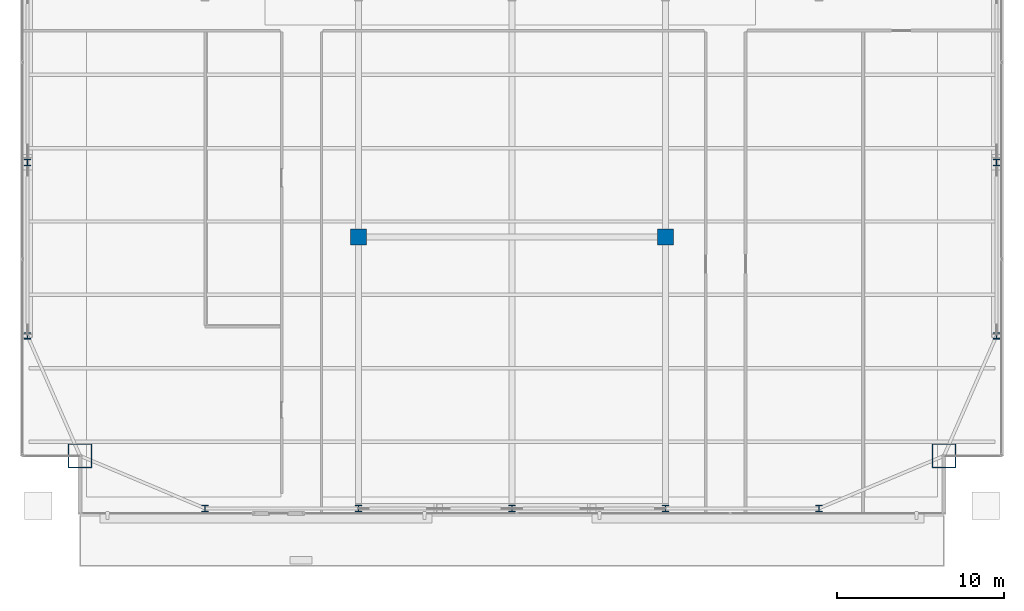
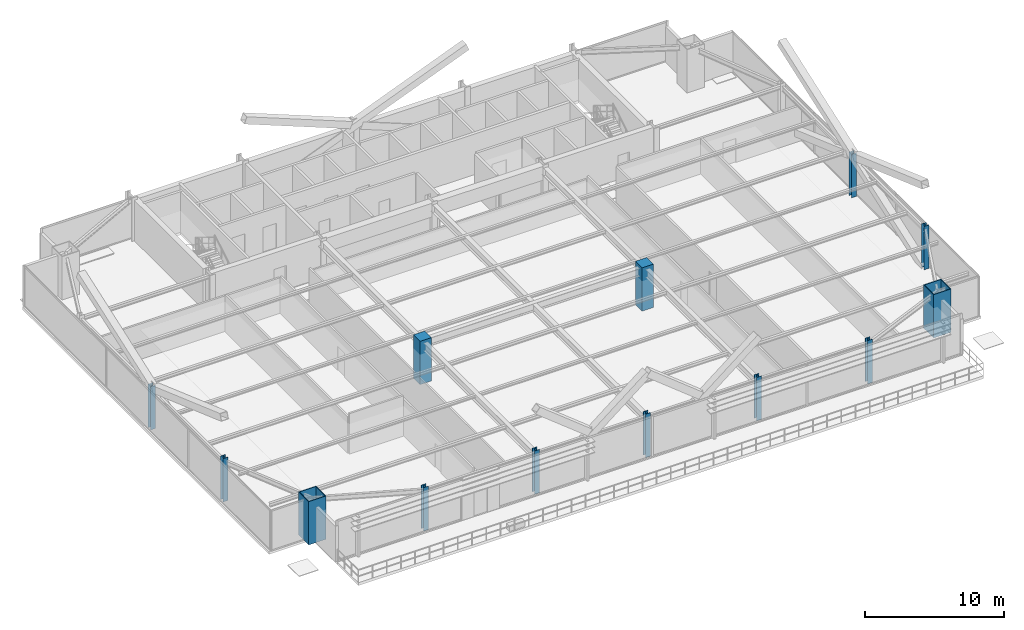
# One storey, part 1 of 35: 13 columns.
"""IFC4 building model written with IfcOpenShell, lengths in metres."""

from ifc_helpers import new_model, si_unit, direction, frame, origin, origin_2d, place, context, subcontext, project, spatial, rectangle, hollow_rectangle, i_section, extrude, source, transform, mapped, material, material_profile, profile_set, type_object, type_shapes, element, save


model = new_model("IFC4")

# Units and contexts
model_context = context("Model", 3, precision=1e-05, world=origin(), true_north=direction((0.0, 1.0)))
body_context = subcontext(model_context, "Body", "Model", "MODEL_VIEW")
ifc_project = project(units=[si_unit("LENGTHUNIT", "METRE"), si_unit("AREAUNIT", "SQUARE_METRE"), si_unit("VOLUMEUNIT", "CUBIC_METRE"), si_unit("PLANEANGLEUNIT", "RADIAN"), si_unit("MASSUNIT", "GRAM", prefix="KILO")], contexts=[model_context])

# Site, building, storey
site_placement = place(None, origin())
site = spatial("IfcSite", under=ifc_project, at=site_placement, CompositionType="ELEMENT")
building_placement = place(site_placement, origin())
building = spatial("IfcBuilding", under=site, at=building_placement, Name="Varnel Quay Broadcast Tower", CompositionType="ELEMENT")
storey_placement = place(building_placement, frame((0.0, 0.0, 87.0)))
storey = spatial("IfcBuildingStorey", under=building, at=storey_placement, Name="L20", CompositionType="ELEMENT", Elevation=87.0)

# Columns
ifc_material_1 = material(Name="Structural Steel CSA G40.21 350WT", Category="steel")
ifc_material_profile_1 = material_profile(ifc_material_1, hollow_rectangle(XDim=1.449951171875, YDim=1.449951171875, WallThickness=0.054931640625, at=origin_2d()), Name="BOX1450X1450X55")
ifc_profile_set_1 = profile_set([ifc_material_profile_1], Name="Structural Steel CSA G40.21 350WT")
column_type_1 = type_object("IfcColumnType", Name="Col_BOX1450X1450X55", PredefinedType="COLUMN", material=ifc_profile_set_1)
shared_shape_1 = source(origin(), body_context, "Body", "SweptSolid", [
    extrude(hollow_rectangle(XDim=1.449951171875, YDim=1.449951171875, WallThickness=0.054931640625, at=origin_2d()), origin(), (0.0, 0.0, 1.0), 3.800048828125),
])
type_shapes(column_type_1, [shared_shape_1])
for number, where, z_axis, x_axis, name in (
    (1, (8.10009765625, 7.800048828125, 0.0), (0.0, 0.0, 1.0), (1.0, 0.0, 0.0), "L20 Column MC-SW"),
    (2, (59.89990234375, 7.800048828125, 0.0), (0.0, 0.0, 1.0), (1.0, 0.0, 0.0), "L20 Column MC-SE"),
):
    element("IfcColumn", number, at=place(storey_placement, frame(where, z_axis=z_axis, x_axis=x_axis)), inside=storey, type_object=column_type_1, Name=name, PredefinedType="COLUMN", context=body_context, shape_type="MappedRepresentation", body=[
        mapped(shared_shape_1, transform((0.0, 0.0, 0.0), x_axis=(1.0, 0.0, 0.0), y_axis=(0.0, 1.0, 0.0), z_axis=(0.0, 0.0, 1.0), scale=1.0)),
    ])
ifc_material_2 = material(Name="Structural Steel CSA G40.21 350W", Category="steel")
ifc_material_profile_2 = material_profile(ifc_material_2, i_section(OverallWidth=0.39794921875, OverallDepth=0.386962890625, WebThickness=0.02099609375, FlangeThickness=0.033203125, FilletRadius=0.01806640625, at=origin_2d()), Name="W360X262")
ifc_profile_set_2 = profile_set([ifc_material_profile_2], Name="Structural Steel CSA G40.21 350W")
column_type_2 = type_object("IfcColumnType", Name="Col_W360X262", PredefinedType="COLUMN", material=ifc_profile_set_2)
shared_shape_2 = source(origin(), body_context, "Body", "SweptSolid", [
    extrude(i_section(OverallWidth=0.39794921875, OverallDepth=0.386962890625, WebThickness=0.02099609375, FlangeThickness=0.033203125, FilletRadius=0.01806640625, at=origin_2d()), origin(), (0.0, 0.0, 1.0), 3.800048828125),
])
type_shapes(column_type_2, [shared_shape_2])
for number, where, z_axis, x_axis, name in (
    (3, (15.60009765625, 4.64990234375, 0.0), (0.0, 0.0, 1.0), (1.0, 0.0, 0.0), "L20 Column TC-S1"),
    (4, (24.800048828125, 4.64990234375, 0.0), (0.0, 0.0, 1.0), (1.0, 0.0, 0.0), "L20 Column TC-S2"),
    (5, (34.0, 4.64990234375, 0.0), (0.0, 0.0, 1.0), (1.0, 0.0, 0.0), "L20 Column TC-S3"),
    (6, (43.199951171875, 4.64990234375, 0.0), (0.0, 0.0, 1.0), (1.0, 0.0, 0.0), "L20 Column TC-S4"),
    (7, (52.39990234375, 4.64990234375, 0.0), (0.0, 0.0, 1.0), (1.0, 0.0, 0.0), "L20 Column TC-S5"),
    (8, (4.949951171875, 15.0, 0.0), (0.0, 0.0, 1.0), (1.0, 0.0, 0.0), "L20 Column TC-W1"),
    (9, (63.050048828125, 15.0, 0.0), (0.0, 0.0, 1.0), (1.0, 0.0, 0.0), "L20 Column TC-E1"),
    (10, (4.949951171875, 25.39990234375, 0.0), (0.0, 0.0, 1.0), (1.0, 0.0, 0.0), "L20 Column TC-W2"),
    (11, (63.050048828125, 25.39990234375, 0.0), (0.0, 0.0, 1.0), (1.0, 0.0, 0.0), "L20 Column TC-E2"),
):
    element("IfcColumn", number, at=place(storey_placement, frame(where, z_axis=z_axis, x_axis=x_axis)), inside=storey, type_object=column_type_2, Name=name, PredefinedType="COLUMN", context=body_context, shape_type="MappedRepresentation", body=[
        mapped(shared_shape_2, transform((0.0, 0.0, 0.0), x_axis=(1.0, 0.0, 0.0), y_axis=(0.0, 1.0, 0.0), z_axis=(0.0, 0.0, 1.0), scale=1.0)),
    ])
ifc_material_3 = material(Name="Concrete CSA A23.3 C50/60", Category="concrete")
ifc_material_profile_3 = material_profile(ifc_material_3, rectangle(XDim=0.949951171875, YDim=0.949951171875, at=origin_2d()), Name="RC950X950")
ifc_profile_set_3 = profile_set([ifc_material_profile_3], Name="Concrete CSA A23.3 C50/60")
column_type_3 = type_object("IfcColumnType", Name="Col_RC950X950", PredefinedType="COLUMN", material=ifc_profile_set_3)
shared_shape_3 = source(origin(), body_context, "Body", "SweptSolid", [
    extrude(rectangle(XDim=0.949951171875, YDim=0.949951171875, at=origin_2d()), origin(), (0.0, 0.0, 1.0), 3.800048828125),
])
type_shapes(column_type_3, [shared_shape_3])
for number, where, z_axis, x_axis, name in (
    (12, (24.800048828125, 20.929931640625, 0.0), (0.0, 0.0, 1.0), (1.0, 0.0, 0.0), "L20 Column IC-01"),
    (13, (43.199951171875, 20.929931640625, 0.0), (0.0, 0.0, 1.0), (1.0, 0.0, 0.0), "L20 Column IC-02"),
):
    element("IfcColumn", number, at=place(storey_placement, frame(where, z_axis=z_axis, x_axis=x_axis)), inside=storey, type_object=column_type_3, Name=name, PredefinedType="COLUMN", context=body_context, shape_type="MappedRepresentation", body=[
        mapped(shared_shape_3, transform((0.0, 0.0, 0.0), x_axis=(1.0, 0.0, 0.0), y_axis=(0.0, 1.0, 0.0), z_axis=(0.0, 0.0, 1.0), scale=1.0)),
    ])

save(model, "model.ifc")
